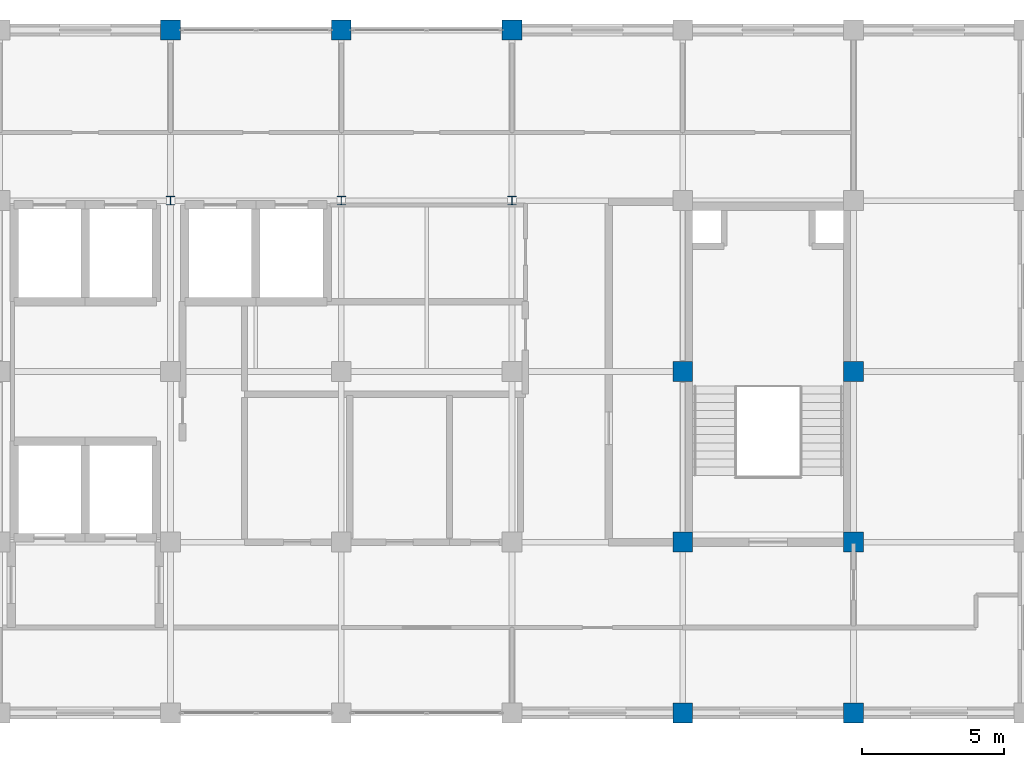
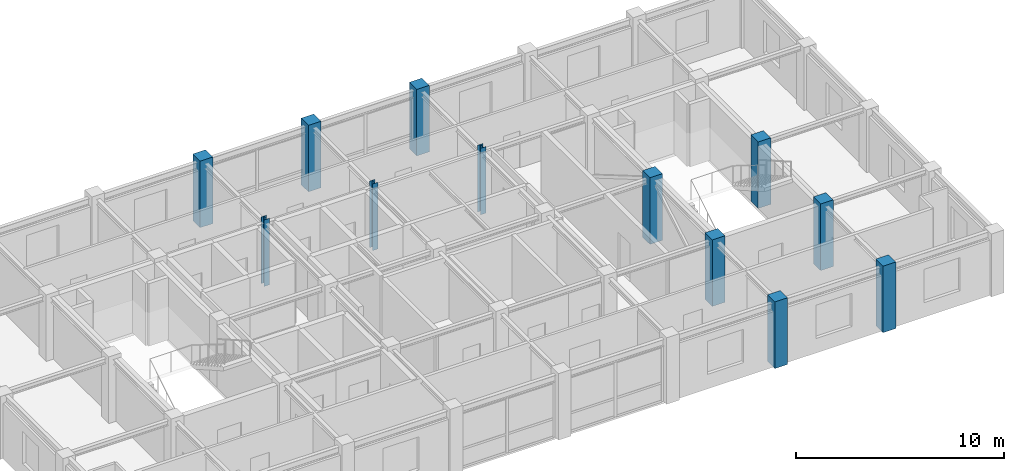
# One storey, part 2 of 11: 12 columns.
"""IFC4 building model written with IfcOpenShell, lengths in metres."""

from ifc_helpers import new_model, si_unit, direction, frame, origin, origin_2d, place, context, subcontext, project, spatial, rectangle, i_section, extrude, material, material_profile, profile_set, type_object, element, save


model = new_model("IFC4")

# Units and contexts
model_context = context("Model", 3, precision=1e-05, world=origin(), true_north=direction((0.0, 1.0)))
body_context = subcontext(model_context, "Body", "Model", "MODEL_VIEW")
ifc_project = project(units=[si_unit("LENGTHUNIT", "METRE"), si_unit("AREAUNIT", "SQUARE_METRE"), si_unit("VOLUMEUNIT", "CUBIC_METRE"), si_unit("PLANEANGLEUNIT", "RADIAN"), si_unit("MASSUNIT", "GRAM", prefix="KILO")], contexts=[model_context])

# Site, building, storey
site_placement = place(None, origin())
site = spatial("IfcSite", under=ifc_project, at=site_placement, CompositionType="ELEMENT")
building_placement = place(site_placement, origin())
building = spatial("IfcBuilding", under=site, at=building_placement, Name="Zlatovratsky Civic Hall", CompositionType="ELEMENT")
storey_placement = place(building_placement, frame((0.0, 0.0, 63.89990234375)))
storey = spatial("IfcBuildingStorey", under=building, at=storey_placement, Name="L16", CompositionType="ELEMENT", Elevation=63.89990234375)

# Columns
ifc_material_1 = material(Name="Concrete C35/45 (B40)", Category="concrete")
ifc_material_profile_1 = material_profile(ifc_material_1, rectangle(XDim=0.699951171875, YDim=0.699951171875, at=origin_2d()), Name="RC 700x700")
ifc_profile_set_1 = profile_set([ifc_material_profile_1], Name="Concrete C35/45 (B40)")
column_type_1 = type_object("IfcColumnType", Name="Col_CorePier_RC700", PredefinedType="COLUMN", material=ifc_profile_set_1)
for number, where, z_axis, x_axis, name in (
    (1, (96.0, 78.0, 0.0), (0.0, 0.0, 1.0), (1.0, 0.0, 0.0), "CL-2606"),
    (2, (102.0, 78.0, 0.0), (0.0, 0.0, 1.0), (1.0, 0.0, 0.0), "CL-2607"),
    (3, (96.0, 84.0, 0.0), (0.0, 0.0, 1.0), (1.0, 0.0, 0.0), "CL-2615"),
    (4, (102.0, 84.0, 0.0), (0.0, 0.0, 1.0), (1.0, 0.0, 0.0), "CL-2616"),
    (5, (96.0, 90.0, 0.0), (0.0, 0.0, 1.0), (1.0, 0.0, 0.0), "CL-2624"),
    (6, (102.0, 90.0, 0.0), (0.0, 0.0, 1.0), (1.0, 0.0, 0.0), "CL-2625"),
    (7, (78.0, 102.0, 0.0), (0.0, 0.0, 1.0), (1.0, 0.0, 0.0), "CL-2639"),
    (8, (84.0, 102.0, 0.0), (0.0, 0.0, 1.0), (1.0, 0.0, 0.0), "CL-2640"),
    (9, (90.0, 102.0, 0.0), (0.0, 0.0, 1.0), (1.0, 0.0, 0.0), "CL-2641"),
):
    element("IfcColumn", number, at=place(storey_placement, frame(where, z_axis=z_axis, x_axis=x_axis)), inside=storey, type_object=column_type_1, Name=name, PredefinedType="COLUMN", context=body_context, shape_type="SweptSolid", body=[
        extrude(rectangle(XDim=0.699951171875, YDim=0.699951171875, at=origin_2d()), origin(), (0.0, 0.0, 1.0), 3.900146484375),
    ])
ifc_material_2 = material(Name="Steel S355", Category="steel")
ifc_material_profile_2 = material_profile(ifc_material_2, i_section(OverallWidth=0.299072265625, OverallDepth=0.2958984375, WebThickness=0.009033203125, FlangeThickness=0.013916015625, FilletRadius=0.01806640625, at=origin_2d()), Name="30K1")
ifc_profile_set_2 = profile_set([ifc_material_profile_2], Name="Steel S355")
column_type_2 = type_object("IfcColumnType", Name="Col_Steel_30K1", PredefinedType="COLUMN", material=ifc_profile_set_2)
for number, where, z_axis, x_axis, name in (
    (10, (78.0, 96.0, 0.0), (0.0, 0.0, 1.0), (1.0, 0.0, 0.0), "CL-2630"),
    (11, (84.0, 96.0, 0.0), (0.0, 0.0, 1.0), (1.0, 0.0, 0.0), "CL-2631"),
    (12, (90.0, 96.0, 0.0), (0.0, 0.0, 1.0), (1.0, 0.0, 0.0), "CL-2632"),
):
    element("IfcColumn", number, at=place(storey_placement, frame(where, z_axis=z_axis, x_axis=x_axis)), inside=storey, type_object=column_type_2, Name=name, PredefinedType="COLUMN", context=body_context, shape_type="SweptSolid", body=[
        extrude(i_section(OverallWidth=0.299072265625, OverallDepth=0.2958984375, WebThickness=0.009033203125, FlangeThickness=0.013916015625, FilletRadius=0.01806640625, at=origin_2d()), origin(), (0.0, 0.0, 1.0), 3.900146484375),
    ])

save(model, "model.ifc")
